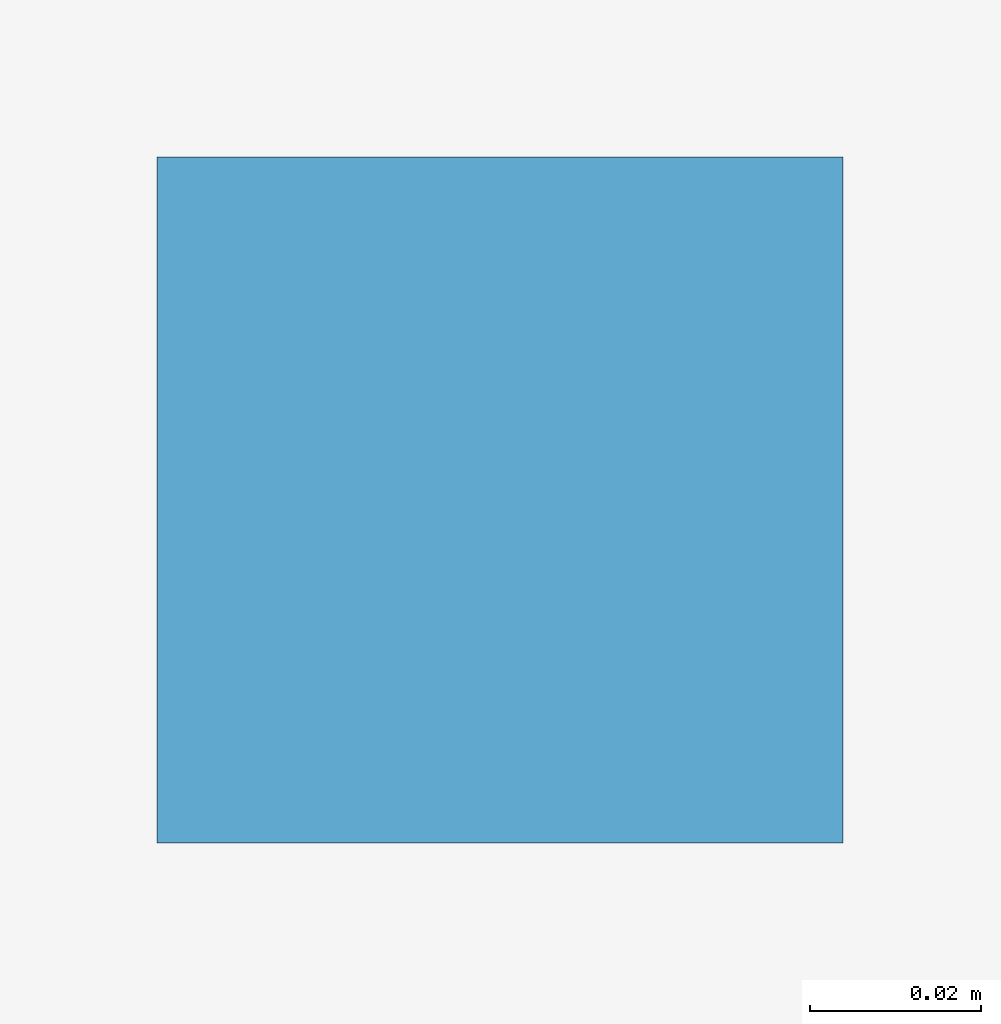
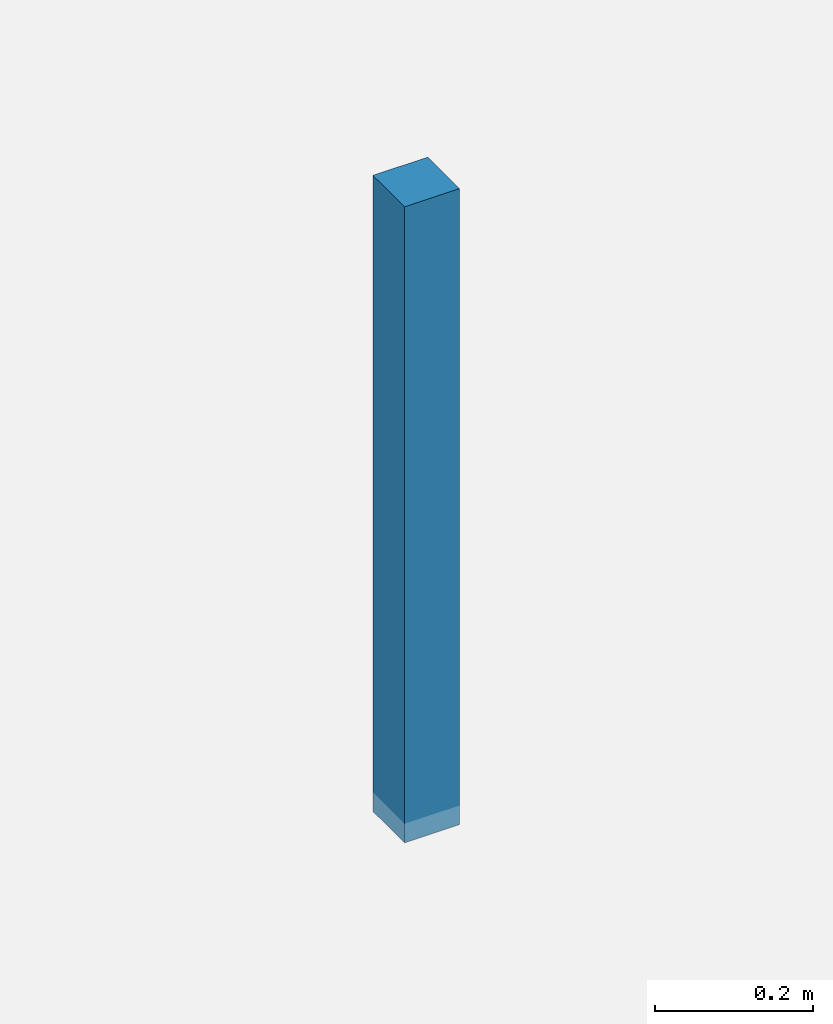
# One storey, part 12 of 17: 1 discrete accessory.
"""IFC4 building model written with IfcOpenShell, lengths in metres."""

from ifc_helpers import new_model, si_unit, direction, frame, origin, origin_2d, place, context, subcontext, project, spatial, rectangle, extrude, source, transform, mapped, material, type_object, element, save


model = new_model("IFC4")

# Units and contexts
model_context = context("Model", 3, precision=1e-05, world=origin(), true_north=direction((0.0, 1.0)))
body_context = subcontext(model_context, "Body", "Model", "MODEL_VIEW")
ifc_project = project(units=[si_unit("LENGTHUNIT", "METRE"), si_unit("AREAUNIT", "SQUARE_METRE"), si_unit("VOLUMEUNIT", "CUBIC_METRE"), si_unit("PLANEANGLEUNIT", "RADIAN"), si_unit("MASSUNIT", "GRAM", prefix="KILO")], contexts=[model_context])

# Site, building, storey
site_placement = place(None, origin())
site = spatial("IfcSite", under=ifc_project, at=site_placement, CompositionType="ELEMENT")
building_placement = place(site_placement, origin())
building = spatial("IfcBuilding", under=site, at=building_placement, Name="Giltprow Tower", CompositionType="ELEMENT")
storey_placement = place(building_placement, frame((0.0, 0.0, 29.300048828125)))
storey = spatial("IfcBuildingStorey", under=building, at=storey_placement, Name="L07", CompositionType="ELEMENT", Elevation=29.300048828125)

# Discrete accessory
ifc_material = material(Name="Structural steel Q355B", Category="steel")
discrete_accessory_type = type_object("IfcDiscreteAccessoryType", Name="ACC-CLG-HANGER", PredefinedType="BRACKET", material=ifc_material)
shared_shape = source(origin(), body_context, "Body", "SweptSolid", [
    extrude(rectangle(XDim=0.080078125, YDim=0.080078125, at=origin_2d()), origin(), (0.0, 0.0, 1.0), 0.97998046875),
])
discrete_accessory_placement = place(storey_placement, frame((25.39990234375, 19.10009765625, 2.719970703125), z_axis=(0.0, 0.0, 1.0), x_axis=(1.0, 0.0, 0.0)))
element("IfcDiscreteAccessory", 1, at=discrete_accessory_placement, inside=storey, type_object=discrete_accessory_type, Name="L07 Office Acoustic Ceiling Suspension Hanger", PredefinedType="BRACKET", context=body_context, shape_type="MappedRepresentation", body=[
    mapped(shared_shape, transform((0.0, 0.0, 0.0), x_axis=(1.0, 0.0, 0.0), y_axis=(0.0, 1.0, 0.0), z_axis=(0.0, 0.0, 1.0), scale=1.0)),
])

save(model, "model.ifc")
